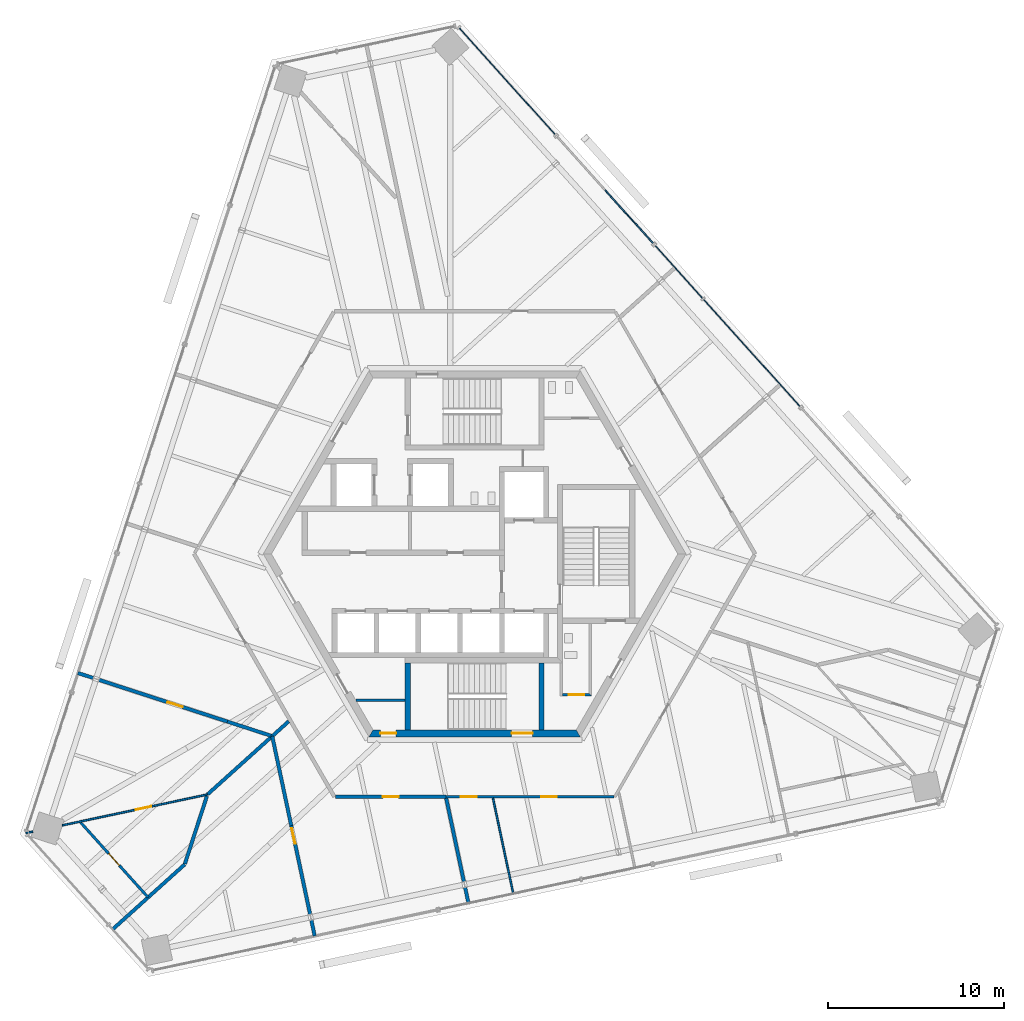
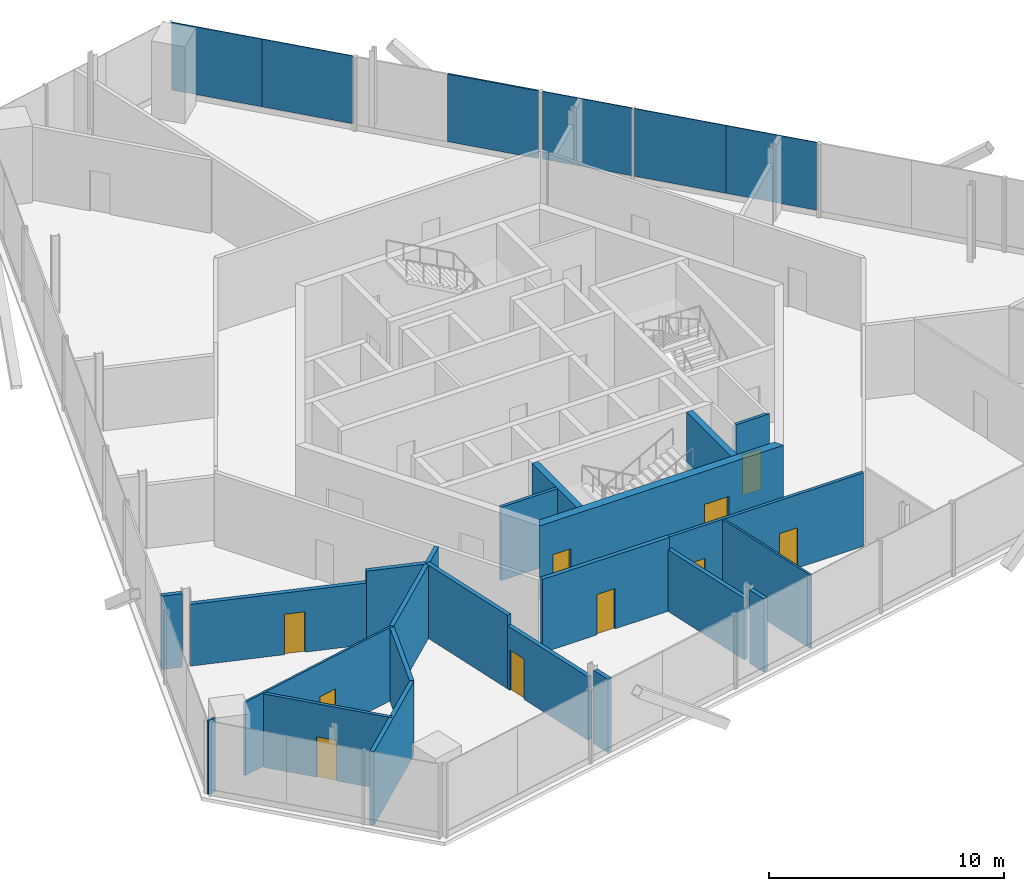
# One storey, part 9 of 14: 22 walls, 10 doors, 6 plates, 10 openings, 3 elements without a shape of their own.
"""IFC4 building model written with IfcOpenShell, lengths in metres."""

from ifc_helpers import new_model, si_unit, direction, frame, frame_2d, origin, origin_2d, place, context, subcontext, project, spatial, polyline, rectangle, outline, extrude, source, transform, mapped, material, layer, layer_set, type_object, element, fill, aggregate, save


model = new_model("IFC4")

# Units and contexts
model_context = context("Model", 3, precision=1e-05, world=origin(), true_north=direction((0.0, 1.0)))
body_context = subcontext(model_context, "Body", "Model", "MODEL_VIEW")
ifc_project = project(units=[si_unit("LENGTHUNIT", "METRE"), si_unit("AREAUNIT", "SQUARE_METRE"), si_unit("VOLUMEUNIT", "CUBIC_METRE"), si_unit("PLANEANGLEUNIT", "RADIAN"), si_unit("MASSUNIT", "GRAM", prefix="KILO")], contexts=[model_context])

# Site, building, storey
site_placement = place(None, origin())
site = spatial("IfcSite", under=ifc_project, at=site_placement, CompositionType="ELEMENT")
building_placement = place(site_placement, origin())
building = spatial("IfcBuilding", under=site, at=building_placement, Name="Triune Harvest Tower", CompositionType="ELEMENT")
storey_placement = place(building_placement, frame((0.0, 0.0, 284.699951171875)))
storey = spatial("IfcBuildingStorey", under=building, at=storey_placement, Name="L75", CompositionType="ELEMENT", Elevation=284.699951171875)

# Curtain wall, plate
ifc_material_1 = material(Name="Aluminium bronze anodised", Category="aluminium")
curtain_wall_type_1 = type_object("IfcCurtainWallType", Name="CW-4 Sky lobby tall glazing wall", PredefinedType="NOTDEFINED", material=ifc_material_1)
curtain_wall_1_placement = place(storey_placement, origin())
curtain_wall_1 = element("IfcCurtainWall", 1, at=curtain_wall_1_placement, inside=storey, type_object=curtain_wall_type_1, Name="CW-4 B7-F1 L75 run 2001")
ifc_material_2 = material(Name="Glass", Category="glass")
ifc_layer_1 = layer(ifc_material_2, 0.0439453125)
ifc_layer_set_1 = layer_set([ifc_layer_1], Name="Glass")
plate_type_1 = type_object("IfcPlateType", Name="GL-4 panel 44", PredefinedType="CURTAIN_PANEL", material=ifc_layer_set_1)
shared_shape_1 = source(origin(), body_context, "Body", "SweptSolid", [
    extrude(rectangle(XDim=4.065673828125, YDim=0.0439453125, at=origin_2d()), origin(), (0.0, 0.0, 1.0), 3.52001953125),
])
plate_1_placement = place(storey_placement, frame((17.11572265625, 9.87939453125, 0.300048828125), z_axis=(0.0, 0.0, 1.0), x_axis=(-0.66912469222, 0.743150150549, 0.0)))
plate_1 = element("IfcPlate", 2, at=plate_1_placement, type_object=plate_type_1, Name="CW-4 panel B7-F1 2001.1", PredefinedType="CURTAIN_PANEL", context=body_context, shape_type="MappedRepresentation", body=[
    mapped(shared_shape_1, transform((0.0, 0.0, 0.0), scale=1.0)),
])

# Curtain wall, plates
curtain_wall_2_placement = place(storey_placement, origin())
curtain_wall_2 = element("IfcCurtainWall", 3, at=curtain_wall_2_placement, inside=storey, type_object=curtain_wall_type_1, Name="CW-4 B7-F1 L75 run 4001")
plate_2_placement = place(storey_placement, frame((3.2119140625, 25.321044921875, 0.300048828125), z_axis=(0.0, 0.0, 1.0), x_axis=(-0.66912643172, 0.743148584318, 0.0)))
plate_2 = element("IfcPlate", 4, at=plate_2_placement, type_object=plate_type_1, Name="CW-4 panel B7-F1 4001.1", PredefinedType="CURTAIN_PANEL", context=body_context, shape_type="MappedRepresentation", body=[
    mapped(shared_shape_1, transform((0.0, 0.0, 0.0), scale=1.0)),
])
plate_3_placement = place(storey_placement, frame((0.4912109375, 28.342529296875, 0.300048828125), z_axis=(0.0, 0.0, 1.0), x_axis=(-0.66912643172, 0.743148584318, 0.0)))
plate_3 = element("IfcPlate", 5, at=plate_3_placement, type_object=plate_type_1, Name="CW-4 panel B7-F1 4001.2", PredefinedType="CURTAIN_PANEL", context=body_context, shape_type="MappedRepresentation", body=[
    mapped(shared_shape_1, transform((0.0, 0.0, 0.0), scale=1.0)),
])
aggregate(curtain_wall_2, [plate_2, plate_3])

# Curtain wall, plate
ifc_material_3 = material(Name="Aluminium bronze anodised", Category="aluminium")
curtain_wall_type_2 = type_object("IfcCurtainWallType", Name="CW-9 Sky lobby tall glazing wall with insulated spandrel infill", PredefinedType="NOTDEFINED", material=ifc_material_3)
curtain_wall_3_placement = place(storey_placement, origin())
curtain_wall_3 = element("IfcCurtainWall", 6, at=curtain_wall_3_placement, inside=storey, type_object=curtain_wall_type_2, Name="CW-9 B7-F1 L75 run 3001")
ifc_material_4 = material(Name="Insulated spandrel panel, bronze aluminium pan", Category="aluminium")
ifc_layer_2 = layer(ifc_material_4, 0.080078125)
ifc_layer_set_2 = layer_set([ifc_layer_2], Name="Insulated spandrel panel, bronze aluminium pan")
plate_type_2 = type_object("IfcPlateType", Name="SP-1 insulated spandrel panel 80", PredefinedType="CURTAIN_PANEL", material=ifc_layer_set_2)
shared_shape_2 = source(origin(), body_context, "Body", "SweptSolid", [
    extrude(rectangle(XDim=4.065673828125, YDim=0.080078125, at=origin_2d()), origin(), (0.0, 0.0, 1.0), 3.52001953125),
])
plate_4_placement = place(storey_placement, frame((8.7734375, 19.144287109375, 0.300048828125), z_axis=(0.0, 0.0, 1.0), x_axis=(-0.669141528583, 0.743134990917, 0.0)))
plate_4 = element("IfcPlate", 7, at=plate_4_placement, type_object=plate_type_2, Name="CW-9 panel B7-F1 3001.1", PredefinedType="CURTAIN_PANEL", context=body_context, shape_type="MappedRepresentation", body=[
    mapped(shared_shape_2, transform((0.0, 0.0, 0.0), scale=1.0)),
])
aggregate(curtain_wall_3, [plate_4])

# Plate
shared_shape_3 = source(origin(), body_context, "Body", "SweptSolid", [
    extrude(rectangle(XDim=4.11083984375, YDim=0.0439453125, at=origin_2d()), origin(), (0.0, 0.0, 1.0), 3.52001953125),
])
plate_5_placement = place(storey_placement, frame((14.380126953125, 12.91748046875, 0.300048828125), z_axis=(0.0, 0.0, 1.0), x_axis=(-0.66912469222, 0.743150150549, 0.0)))
plate_5 = element("IfcPlate", 8, at=plate_5_placement, type_object=plate_type_1, Name="CW-4 panel B7-F1 2001.2", PredefinedType="CURTAIN_PANEL", context=body_context, shape_type="MappedRepresentation", body=[
    mapped(shared_shape_3, transform((0.0, 0.0, 0.0), scale=1.0)),
])

shared_shape_4 = source(origin(), body_context, "Body", "SweptSolid", [
    extrude(rectangle(XDim=4.020751953125, YDim=0.0439453125, at=origin_2d()), origin(), (0.0, 0.0, 1.0), 3.52001953125),
])
plate_6_placement = place(storey_placement, frame((11.599365234375, 16.005859375, 0.300048828125), z_axis=(0.0, 0.0, 1.0), x_axis=(-0.66912469222, 0.743150150549, 0.0)))
plate_6 = element("IfcPlate", 9, at=plate_6_placement, type_object=plate_type_1, Name="CW-4 panel B7-F1 2001.3", PredefinedType="CURTAIN_PANEL", context=body_context, shape_type="MappedRepresentation", body=[
    mapped(shared_shape_4, transform((0.0, 0.0, 0.0), scale=1.0)),
])

aggregate(curtain_wall_1, [plate_1, plate_5, plate_6])

# Wall, opening, door
ifc_material_5 = material(Name="Gypsum board on steel studs", Category="steel")
ifc_layer_3 = layer(ifc_material_5, 0.14990234375)
ifc_layer_set_3 = layer_set([ifc_layer_3], Name="Gypsum board on steel studs")
wall_type_1 = type_object("IfcWallType", Name="Fire Partition 150 mm", PredefinedType="PARTITIONING", material=ifc_layer_set_3)
wall_1_placement = place(storey_placement, frame((-22.360107421875, -15.25927734375, 0.0), z_axis=(0.0, 0.0, 1.0), x_axis=(0.669132431757, -0.743143181877, 0.0)))
wall_1 = element("IfcWall", 10, at=wall_1_placement, inside=storey, type_object=wall_type_1, Name="Partition L75 014", PredefinedType="PARTITIONING", context=body_context, shape_type="SweptSolid", body=[
    extrude(rectangle(XDim=5.7099609375, YDim=0.14990234375, at=frame_2d((2.85498046875, 0.0))), origin(), (0.0, 0.0, 1.0), 3.820068359375),
])
opening_1_placement = place(wall_1_placement, frame((2.3701171875, 0.0, 0.0)))
opening_1 = element("IfcOpeningElement", 11, at=opening_1_placement, cuts=wall_1, Name="Opening L75-010", PredefinedType="OPENING", context=body_context, shape_type="SweptSolid", body=[
    extrude(rectangle(XDim=0.89990234375, YDim=2.10009765625, at=frame_2d((0.449951171875, 1.050048828125))), frame((0.0, 0.0849609375, 0.0), z_axis=(0.0, -1.0, 0.0), x_axis=(1.0, 0.0, 0.0)), (0.0, 0.0, 1.0), 0.169921875),
])
ifc_material_6 = material(Name="Timber and steel door set", Category="steel")
door_type_1 = type_object("IfcDoorType", Name="Single leaf door FD30 left hand 900 x 2100", OperationType="SINGLE_SWING_LEFT", PredefinedType="DOOR", material=ifc_material_6)
door_1_placement = place(opening_1_placement, origin())
door_1 = element("IfcDoor", 12, at=door_1_placement, inside=storey, type_object=door_type_1, Name="Door L75-010 Dry Store Room 75.10", OperationType="SINGLE_SWING_LEFT", OverallHeight=2.10009765625, OverallWidth=0.89990234375, PredefinedType="DOOR", context=body_context, shape_type="SweptSolid", body=[
    extrude(rectangle(XDim=0.89990234375, YDim=2.10009765625, at=frame_2d((0.449951171875, 1.050048828125))), frame((0.0, 0.02490234375, 0.0), z_axis=(0.0, -1.0, 0.0), x_axis=(1.0, 0.0, 0.0)), (0.0, 0.0, 1.0), 0.050048828125),
])
fill(opening_1, door_1)

# Wall, openings, doors
wall_2_placement = place(storey_placement, frame((-1.629150390625, -13.792236328125, 0.0), z_axis=(0.0, 0.0, 1.0), x_axis=(1.0, 0.0, 0.0)))
wall_2 = element("IfcWall", 13, at=wall_2_placement, inside=storey, type_object=wall_type_1, Name="Partition L75 029", PredefinedType="PARTITIONING", context=body_context, shape_type="SweptSolid", body=[
    extrude(rectangle(XDim=9.542236328125, YDim=0.14990234375, at=frame_2d((4.77099609375, 0.0))), origin(), (0.0, 0.0, 1.0), 3.820068359375),
])
opening_2_placement = place(wall_2_placement, frame((0.846923828125, 0.0, 0.0)))
opening_2 = element("IfcOpeningElement", 14, at=opening_2_placement, cuts=wall_2, Name="Opening L75-014", PredefinedType="OPENING", context=body_context, shape_type="SweptSolid", body=[
    extrude(rectangle(XDim=0.89990234375, YDim=2.10009765625, at=frame_2d((0.449951171875, 1.050048828125))), frame((0.0, 0.0849609375, 0.0), z_axis=(0.0, -1.0, 0.0), x_axis=(1.0, 0.0, 0.0)), (0.0, 0.0, 1.0), 0.169921875),
])
opening_3_placement = place(wall_2_placement, frame((5.405029296875, 0.0, 0.0)))
opening_3 = element("IfcOpeningElement", 15, at=opening_3_placement, cuts=wall_2, Name="Opening L75-015", PredefinedType="OPENING", context=body_context, shape_type="SweptSolid", body=[
    extrude(rectangle(XDim=0.89990234375, YDim=2.10009765625, at=frame_2d((0.449951171875, 1.050048828125))), frame((0.0, 0.0849609375, 0.0), z_axis=(0.0, -1.0, 0.0), x_axis=(1.0, 0.0, 0.0)), (0.0, 0.0, 1.0), 0.169921875),
])
door_2_placement = place(opening_3_placement, origin())
door_2 = element("IfcDoor", 16, at=door_2_placement, inside=storey, type_object=door_type_1, Name="Door L75-015 Dry Store Room 75.15", OperationType="SINGLE_SWING_LEFT", OverallHeight=2.10009765625, OverallWidth=0.89990234375, PredefinedType="DOOR", context=body_context, shape_type="SweptSolid", body=[
    extrude(rectangle(XDim=0.89990234375, YDim=2.10009765625, at=frame_2d((0.449951171875, 1.050048828125))), frame((0.0, 0.02490234375, 0.0), z_axis=(0.0, -1.0, 0.0), x_axis=(1.0, 0.0, 0.0)), (0.0, 0.0, 1.0), 0.050048828125),
])
fill(opening_3, door_2)
ifc_material_7 = material(Name="Timber and steel door set", Category="steel")
door_type_2 = type_object("IfcDoorType", Name="Single leaf door FD30 right hand 900 x 2100", OperationType="SINGLE_SWING_RIGHT", PredefinedType="DOOR", material=ifc_material_7)
door_3_placement = place(opening_2_placement, origin())
door_3 = element("IfcDoor", 17, at=door_3_placement, inside=storey, type_object=door_type_2, Name="Door L75-014 Dry Store Room 75.14", OperationType="SINGLE_SWING_RIGHT", OverallHeight=2.10009765625, OverallWidth=0.89990234375, PredefinedType="DOOR", context=body_context, shape_type="SweptSolid", body=[
    extrude(rectangle(XDim=0.89990234375, YDim=2.10009765625, at=frame_2d((0.449951171875, 1.050048828125))), frame((0.0, 0.02490234375, 0.0), z_axis=(0.0, -1.0, 0.0), x_axis=(1.0, 0.0, 0.0)), (0.0, 0.0, 1.0), 0.050048828125),
])
fill(opening_2, door_3)

# Wall
ifc_material_8 = material(Name="Gypsum board on steel studs", Category="steel")
ifc_layer_4 = layer(ifc_material_8, 0.199951171875)
ifc_layer_set_4 = layer_set([ifc_layer_4], Name="Gypsum board on steel studs")
wall_type_2 = type_object("IfcWallType", Name="Fire Wall 200 mm", PredefinedType="PARTITIONING", material=ifc_layer_set_4)
wall_3_placement = place(storey_placement, frame((-11.491943359375, -10.347412109375, 0.0), z_axis=(0.0, 0.0, 1.0), x_axis=(0.207948039247, -0.978139873931, 0.0)))
element("IfcWall", 18, at=wall_3_placement, inside=storey, type_object=wall_type_2, Name="Partition L75 001", PredefinedType="PARTITIONING", context=body_context, shape_type="SweptSolid", body=[
    extrude(rectangle(XDim=5.199951171875, YDim=0.199951171875, at=frame_2d((2.60009765625, 0.0))), origin(), (0.0, 0.0, 1.0), 3.820068359375),
])

# Wall, opening, door
wall_4_placement = place(storey_placement, frame((-10.41064453125, -15.43359375, 0.0), z_axis=(0.0, 0.0, 1.0), x_axis=(0.207907589599, -0.978148472466, 0.0)))
wall_4 = element("IfcWall", 19, at=wall_4_placement, inside=storey, type_object=wall_type_2, Name="Partition L75 001a", PredefinedType="PARTITIONING", context=body_context, shape_type="SweptSolid", body=[
    extrude(rectangle(XDim=5.14208984375, YDim=0.199951171875, at=frame_2d((2.571044921875, 0.0))), origin(), (0.0, 0.0, 1.0), 3.283935546875),
])
opening_4_placement = place(wall_4_placement, frame((0.14990234375, 0.0, 0.0)))
opening_4 = element("IfcOpeningElement", 20, at=opening_4_placement, cuts=wall_4, Name="Opening L75-011", PredefinedType="OPENING", context=body_context, shape_type="SweptSolid", body=[
    extrude(rectangle(XDim=0.89990234375, YDim=2.10009765625, at=frame_2d((0.449951171875, 1.050048828125))), frame((0.0, 0.10986328125, 0.0), z_axis=(0.0, -1.0, 0.0), x_axis=(1.0, 0.0, 0.0)), (0.0, 0.0, 1.0), 0.219970703125),
])
ifc_material_9 = material(Name="Timber and steel door set", Category="steel")
door_type_3 = type_object("IfcDoorType", Name="Single leaf door FD60 left hand 900 x 2100", OperationType="SINGLE_SWING_LEFT", PredefinedType="DOOR", material=ifc_material_9)
door_4_placement = place(opening_4_placement, origin())
door_4 = element("IfcDoor", 21, at=door_4_placement, inside=storey, type_object=door_type_3, Name="Door L75-011 Commercial Kitchen 75.11", OperationType="SINGLE_SWING_LEFT", OverallHeight=2.10009765625, OverallWidth=0.89990234375, PredefinedType="DOOR", context=body_context, shape_type="SweptSolid", body=[
    extrude(rectangle(XDim=0.89990234375, YDim=2.10009765625, at=frame_2d((0.449951171875, 1.050048828125))), frame((0.0, 0.02490234375, 0.0), z_axis=(0.0, -1.0, 0.0), x_axis=(1.0, 0.0, 0.0)), (0.0, 0.0, 1.0), 0.050048828125),
])
fill(opening_4, door_4)

wall_5_placement = place(storey_placement, frame((-21.32763671875, -7.1513671875, 0.0), z_axis=(0.0, 0.0, 1.0), x_axis=(0.951054902991, -0.309021959569, 0.0)))
wall_5 = element("IfcWall", 22, at=wall_5_placement, inside=storey, type_object=wall_type_2, Name="Partition L75 020", PredefinedType="PARTITIONING", context=body_context, shape_type="SweptSolid", body=[
    extrude(rectangle(XDim=7.663330078125, YDim=0.199951171875, at=frame_2d((3.83154296875, 0.0))), origin(), (0.0, 0.0, 1.0), 3.207763671875),
])
opening_5_placement = place(wall_5_placement, frame((4.093994140625, 0.0, 0.0)))
opening_5 = element("IfcOpeningElement", 23, at=opening_5_placement, cuts=wall_5, Name="Opening L75-008", PredefinedType="OPENING", context=body_context, shape_type="SweptSolid", body=[
    extrude(rectangle(XDim=0.89990234375, YDim=2.10009765625, at=frame_2d((0.449951171875, 1.050048828125))), frame((0.0, 0.10986328125, 0.0), z_axis=(0.0, -1.0, 0.0), x_axis=(1.0, 0.0, 0.0)), (0.0, 0.0, 1.0), 0.219970703125),
])
ifc_material_10 = material(Name="Timber and steel door set", Category="steel")
door_type_4 = type_object("IfcDoorType", Name="Single leaf door FD60 right hand 900 x 2100", OperationType="SINGLE_SWING_RIGHT", PredefinedType="DOOR", material=ifc_material_10)
door_5_placement = place(opening_5_placement, origin())
door_5 = element("IfcDoor", 24, at=door_5_placement, inside=storey, type_object=door_type_4, Name="Door L75-008 Dry Store Room 75.08", OperationType="SINGLE_SWING_RIGHT", OverallHeight=2.10009765625, OverallWidth=0.89990234375, PredefinedType="DOOR", context=body_context, shape_type="SweptSolid", body=[
    extrude(rectangle(XDim=0.89990234375, YDim=2.10009765625, at=frame_2d((0.449951171875, 1.050048828125))), frame((0.0, 0.02490234375, 0.0), z_axis=(0.0, -1.0, 0.0), x_axis=(1.0, 0.0, 0.0)), (0.0, 0.0, 1.0), 0.050048828125),
])
fill(opening_5, door_5)

# Wall
wall_6_placement = place(storey_placement, frame((-14.039306640625, -9.51953125, 0.0), z_axis=(0.0, 0.0, 1.0), x_axis=(0.95105194905, -0.309031050557, 0.0)))
element("IfcWall", 25, at=wall_6_placement, inside=storey, type_object=wall_type_2, Name="Partition L75 020a", PredefinedType="PARTITIONING", context=body_context, shape_type="SweptSolid", body=[
    extrude(rectangle(XDim=2.608642578125, YDim=0.199951171875, at=frame_2d((1.30419921875, 0.0))), origin(), (0.0, 0.0, 1.0), 3.820068359375),
])

# Wall, opening, door
wall_7_placement = place(storey_placement, frame((-7.89306640625, -13.792236328125, 0.0), z_axis=(0.0, 0.0, 1.0), x_axis=(1.0, 0.0, 0.0)))
wall_7 = element("IfcWall", 26, at=wall_7_placement, inside=storey, type_object=wall_type_2, Name="Partition L75 028", PredefinedType="PARTITIONING", context=body_context, shape_type="SweptSolid", body=[
    extrude(rectangle(XDim=6.263916015625, YDim=0.199951171875, at=frame_2d((3.1318359375, 0.0))), origin(), (0.0, 0.0, 1.0), 3.820068359375),
])
opening_6_placement = place(wall_7_placement, frame((2.679931640625, 0.0, 0.0)))
opening_6 = element("IfcOpeningElement", 27, at=opening_6_placement, cuts=wall_7, Name="Opening L75-012", PredefinedType="OPENING", context=body_context, shape_type="SweptSolid", body=[
    extrude(rectangle(XDim=0.89990234375, YDim=2.10009765625, at=frame_2d((0.449951171875, 1.050048828125))), frame((0.0, 0.10986328125, 0.0), z_axis=(0.0, -1.0, 0.0), x_axis=(1.0, 0.0, 0.0)), (0.0, 0.0, 1.0), 0.219970703125),
])
door_6_placement = place(opening_6_placement, origin())
door_6 = element("IfcDoor", 28, at=door_6_placement, inside=storey, type_object=door_type_3, Name="Door L75-012 Commercial Kitchen 75.12", OperationType="SINGLE_SWING_LEFT", OverallHeight=2.10009765625, OverallWidth=0.89990234375, PredefinedType="DOOR", context=body_context, shape_type="SweptSolid", body=[
    extrude(rectangle(XDim=0.89990234375, YDim=2.10009765625, at=frame_2d((0.449951171875, 1.050048828125))), frame((0.0, 0.02490234375, 0.0), z_axis=(0.0, -1.0, 0.0), x_axis=(1.0, 0.0, 0.0)), (0.0, 0.0, 1.0), 0.050048828125),
])
fill(opening_6, door_6)

# Walls
wall_8_placement = place(storey_placement, frame((-15.1640625, -13.653564453125, 0.0), z_axis=(0.0, 0.0, 1.0), x_axis=(0.743163044905, 0.669110371081, 0.0)))
element("IfcWall", 29, at=wall_8_placement, inside=storey, type_object=wall_type_2, Name="Partition L75 038", PredefinedType="PARTITIONING", context=body_context, shape_type="SweptSolid", body=[
    extrude(rectangle(XDim=6.20458984375, YDim=0.199951171875, at=frame_2d((3.102294921875, 0.0))), origin(), (0.0, 0.0, 1.0), 3.820068359375),
])
ifc_material_11 = material(Name="Gypsum board on steel studs", Category="steel")
ifc_layer_5 = layer(ifc_material_11, 0.10009765625)
ifc_layer_set_5 = layer_set([ifc_layer_5], Name="Gypsum board on steel studs")
wall_type_3 = type_object("IfcWallType", Name="Partition 100 mm", PredefinedType="PARTITIONING", material=ifc_layer_set_5)
wall_9_placement = place(storey_placement, frame((1.04052734375, -13.86083984375, 0.0), z_axis=(0.0, 0.0, 1.0), x_axis=(0.207908161047, -0.978148351003, 0.0)))
element("IfcWall", 30, at=wall_9_placement, inside=storey, type_object=wall_type_3, Name="Partition L75 005", PredefinedType="PARTITIONING", context=body_context, shape_type="SweptSolid", body=[
    extrude(rectangle(XDim=5.555419921875, YDim=0.10009765625, at=frame_2d((2.77783203125, 0.0))), origin(), (0.0, 0.0, 1.0), 3.820068359375),
])
wall_10_placement = place(storey_placement, frame((-25.47509765625, -15.850341796875, 0.0), z_axis=(0.0, 0.0, 1.0), x_axis=(0.978158850918, 0.20785875582, 0.0)))
element("IfcWall", 31, at=wall_10_placement, inside=storey, type_object=wall_type_3, Name="Partition L75 032", PredefinedType="PARTITIONING", context=body_context, shape_type="SweptSolid", body=[
    extrude(rectangle(XDim=0.3994140625, YDim=0.10009765625, at=frame_2d((0.19970703125, 0.0))), origin(), (0.0, 0.0, 1.0), 3.820068359375),
])

# Wall, openings, doors
ifc_material_12 = material(Name="Concrete 70 MPa", Category="concrete")
ifc_layer_6 = layer(ifc_material_12, 0.39990234375)
ifc_layer_set_6 = layer_set([ifc_layer_6], Name="Concrete 70 MPa")
wall_type_4 = type_object("IfcWallType", Name="Core wall 400", PredefinedType="SHEAR", material=ifc_layer_set_6)
shared_shape_5 = source(origin(), body_context, "Body", "SweptSolid", [
    extrude(outline(polyline([(-0.115478515625, -0.199951171875), (11.884521484375, -0.199951171875), (11.653564453125, 0.199951171875), (0.115478515625, 0.199951171875), (-0.115478515625, -0.199951171875)])), origin(), (0.0, 0.0, 1.0), 3.820068359375),
])
wall_11_placement = place(storey_placement, frame((-5.884521484375, -10.1923828125, 0.0), z_axis=(0.0, 0.0, 1.0), x_axis=(1.0, 0.0, 0.0)))
wall_11 = element("IfcWall", 32, at=wall_11_placement, inside=storey, type_object=wall_type_4, Name="Hexagon 4 wall", PredefinedType="SHEAR", context=body_context, shape_type="MappedRepresentation", body=[
    mapped(shared_shape_5, transform((0.0, 0.0, 0.0), scale=1.0)),
])
opening_7_placement = place(wall_11_placement, frame((7.984619140625, 0.0, 0.0)))
opening_7 = element("IfcOpeningElement", 33, at=opening_7_placement, cuts=wall_11, Name="Opening CD-S2P", PredefinedType="OPENING", context=body_context, shape_type="SweptSolid", body=[
    extrude(rectangle(XDim=1.199951171875, YDim=2.10009765625, at=frame_2d((0.60009765625, 1.050048828125))), frame((0.0, 0.2099609375, 0.0), z_axis=(0.0, -1.0, 0.0), x_axis=(1.0, 0.0, 0.0)), (0.0, 0.0, 1.0), 0.419921875),
])
opening_8_placement = place(wall_11_placement, frame((0.534423828125, 0.0, 0.0)))
opening_8 = element("IfcOpeningElement", 34, at=opening_8_placement, cuts=wall_11, Name="Opening CD-SWS", PredefinedType="OPENING", context=body_context, shape_type="SweptSolid", body=[
    extrude(rectangle(XDim=0.89990234375, YDim=2.10009765625, at=frame_2d((0.449951171875, 1.050048828125))), frame((0.0, 0.2099609375, 0.0), z_axis=(0.0, -1.0, 0.0), x_axis=(1.0, 0.0, 0.0)), (0.0, 0.0, 1.0), 0.419921875),
])
ifc_material_13 = material(Name="Steel S235", Category="steel")
door_type_5 = type_object("IfcDoorType", Name="Riser door 900 FD120", OperationType="SINGLE_SWING_LEFT", PredefinedType="DOOR", material=ifc_material_13)
door_7_placement = place(opening_8_placement, frame((0.89990234375, 0.0, 0.0), z_axis=(0.0, 0.0, 1.0), x_axis=(-1.0, 0.0, 0.0)))
door_7 = element("IfcDoor", 35, at=door_7_placement, inside=storey, type_object=door_type_5, Name="Door CD-SWS", OperationType="SINGLE_SWING_RIGHT", OverallHeight=2.10009765625, OverallWidth=0.89990234375, PredefinedType="DOOR", context=body_context, shape_type="SweptSolid", body=[
    extrude(rectangle(XDim=0.89990234375, YDim=2.10009765625, at=frame_2d((0.449951171875, 1.050048828125))), frame((0.0, 0.02490234375, 0.0), z_axis=(0.0, -1.0, 0.0), x_axis=(1.0, 0.0, 0.0)), (0.0, 0.0, 1.0), 0.050048828125),
])
fill(opening_8, door_7)
ifc_material_14 = material(Name="Steel S235", Category="steel")
door_type_6 = type_object("IfcDoorType", Name="Stair door 1200 FD120", OperationType="SINGLE_SWING_LEFT", PredefinedType="DOOR", material=ifc_material_14)
door_8_placement = place(opening_7_placement, frame((1.199951171875, 0.0, 0.0), z_axis=(0.0, 0.0, 1.0), x_axis=(-1.0, 0.0, 0.0)))
door_8 = element("IfcDoor", 36, at=door_8_placement, inside=storey, type_object=door_type_6, Name="Door CD-S2P", OperationType="SINGLE_SWING_RIGHT", OverallHeight=2.10009765625, OverallWidth=1.199951171875, PredefinedType="DOOR", context=body_context, shape_type="SweptSolid", body=[
    extrude(rectangle(XDim=1.199951171875, YDim=2.10009765625, at=frame_2d((0.60009765625, 1.050048828125))), frame((0.0, 0.02490234375, 0.0), z_axis=(0.0, -1.0, 0.0), x_axis=(1.0, 0.0, 0.0)), (0.0, 0.0, 1.0), 0.050048828125),
])
fill(opening_7, door_8)

# Walls
ifc_material_15 = material(Name="Concrete 70 MPa", Category="concrete")
ifc_layer_7 = layer(ifc_material_15, 0.300048828125)
ifc_layer_set_7 = layer_set([ifc_layer_7], Name="Concrete 70 MPa")
wall_type_5 = type_object("IfcWallType", Name="Core wall 300", PredefinedType="SHEAR", material=ifc_layer_set_7)
shared_shape_6 = source(origin(), body_context, "Body", "SweptSolid", [
    extrude(outline(polyline([(3.800048828125, -0.14990234375), (-0.00439453125, -0.14990234375), (-0.00439453125, 0.14990234375), (3.800048828125, 0.14990234375), (3.800048828125, -0.14990234375)])), origin(), (0.0, 0.0, 1.0), 3.820068359375),
])
for number, where, z_axis, x_axis, name in (
    (37, (-3.800048828125, -9.989990234375, 0.0), (0.0, 0.0, 1.0), (0.0, 1.0, 0.0), "Stair s west wall"),
    (38, (3.800048828125, -9.989990234375, 0.0), (0.0, 0.0, 1.0), (0.0, 1.0, 0.0), "Stair s east wall"),
):
    element("IfcWall", number, at=place(storey_placement, frame(where, z_axis=z_axis, x_axis=x_axis)), inside=storey, type_object=wall_type_5, Name=name, PredefinedType="SHEAR", context=body_context, shape_type="MappedRepresentation", body=[
        mapped(shared_shape_6, transform((0.0, 0.0, 0.0), scale=1.0)),
    ])
ifc_material_16 = material(Name="Concrete masonry unit", Category="masonry")
ifc_layer_8 = layer(ifc_material_16, 0.14990234375)
ifc_layer_set_8 = layer_set([ifc_layer_8], Name="Concrete masonry unit")
wall_type_6 = type_object("IfcWallType", Name="Block partition 150", PredefinedType="PARTITIONING", material=ifc_layer_set_8)
shared_shape_7 = source(origin(), body_context, "Body", "SweptSolid", [
    extrude(rectangle(XDim=2.777099609375, YDim=0.14990234375, at=frame_2d((1.388671875, 0.0))), origin(), (0.0, 0.0, 1.0), 3.820068359375),
])
wall_12_placement = place(storey_placement, frame((-6.72705078125, -8.300048828125, 0.0), z_axis=(0.0, 0.0, 1.0), x_axis=(1.0, 0.0, 0.0)))
element("IfcWall", 39, at=wall_12_placement, inside=storey, type_object=wall_type_6, Name="Sw part wall", PredefinedType="PARTITIONING", context=body_context, shape_type="MappedRepresentation", body=[
    mapped(shared_shape_7, transform((0.0, 0.0, 0.0), scale=1.0)),
])

# Wall, opening, door
ifc_material_17 = material(Name="Concrete masonry unit", Category="masonry")
ifc_layer_9 = layer(ifc_material_17, 0.14990234375)
ifc_layer_set_9 = layer_set([ifc_layer_9], Name="Concrete masonry unit")
wall_type_7 = type_object("IfcWallType", Name="Block partition 150 unrated", PredefinedType="PARTITIONING", material=ifc_layer_set_9)
shared_shape_8 = source(origin(), body_context, "Body", "SweptSolid", [
    extrude(outline(polyline([(0.0, -0.074951171875), (1.64990234375, -0.074951171875), (1.5, 0.074951171875), (0.0, 0.074951171875), (0.0, -0.074951171875)])), origin(), (0.0, 0.0, 1.0), 3.820068359375),
])
wall_13_placement = place(storey_placement, frame((5.0, -8.0, 0.0), z_axis=(0.0, 0.0, 1.0), x_axis=(1.0, 0.0, 0.0)))
wall_13 = element("IfcWall", 40, at=wall_13_placement, inside=storey, type_object=wall_type_7, Name="Wc acc south wall", PredefinedType="PARTITIONING", context=body_context, shape_type="MappedRepresentation", body=[
    mapped(shared_shape_8, transform((0.0, 0.0, 0.0), scale=1.0)),
])
opening_9_placement = place(wall_13_placement, frame((0.33740234375, 0.0, 0.0)))
opening_9 = element("IfcOpeningElement", 41, at=opening_9_placement, cuts=wall_13, Name="Opening CD-WA", PredefinedType="OPENING", context=body_context, shape_type="SweptSolid", body=[
    extrude(rectangle(XDim=0.89990234375, YDim=2.10009765625, at=frame_2d((0.449951171875, 1.050048828125))), frame((0.0, 0.0849609375, 0.0), z_axis=(0.0, -1.0, 0.0), x_axis=(1.0, 0.0, 0.0)), (0.0, 0.0, 1.0), 0.169921875),
])
ifc_material_18 = material(Name="Timber C24", Category="wood")
door_type_7 = type_object("IfcDoorType", Name="WC door 900", OperationType="SINGLE_SWING_LEFT", PredefinedType="DOOR", material=ifc_material_18)
door_9_placement = place(opening_9_placement, origin())
door_9 = element("IfcDoor", 42, at=door_9_placement, inside=storey, type_object=door_type_7, Name="Door CD-WA", OperationType="SINGLE_SWING_LEFT", OverallHeight=2.10009765625, OverallWidth=0.89990234375, PredefinedType="DOOR", context=body_context, shape_type="SweptSolid", body=[
    extrude(rectangle(XDim=0.89990234375, YDim=2.10009765625, at=frame_2d((0.449951171875, 1.050048828125))), frame((0.0, 0.02490234375, 0.0), z_axis=(0.0, -1.0, 0.0), x_axis=(1.0, 0.0, 0.0)), (0.0, 0.0, 1.0), 0.050048828125),
])
fill(opening_9, door_9)

# Walls
shared_shape_9 = source(origin(), body_context, "Body", "SweptSolid", [
    extrude(rectangle(XDim=0.915283203125, YDim=0.199951171875, at=frame_2d((0.45751953125, 0.0))), origin(), (0.0, 0.0, 1.0), 3.820068359375),
])
wall_14_placement = place(storey_placement, frame((-9.270751953125, -20.796630859375, 0.0), z_axis=(0.0, 0.0, 1.0), x_axis=(0.207798139517, -0.978171729919, 0.0)))
element("IfcWall", 43, at=wall_14_placement, inside=storey, type_object=wall_type_2, Name="Partition L75 002", PredefinedType="PARTITIONING", context=body_context, shape_type="MappedRepresentation", body=[
    mapped(shared_shape_9, transform((0.0, 0.0, 0.0), scale=1.0)),
])
shared_shape_10 = source(origin(), body_context, "Body", "SweptSolid", [
    extrude(rectangle(XDim=4.84228515625, YDim=0.199951171875, at=frame_2d((2.421142578125, 0.0))), origin(), (0.0, 0.0, 1.0), 3.207763671875),
])
wall_15_placement = place(storey_placement, frame((-1.615478515625, -13.87060546875, 0.0), z_axis=(0.0, 0.0, 1.0), x_axis=(0.207920863098, -0.97814565106, 0.0)))
element("IfcWall", 44, at=wall_15_placement, inside=storey, type_object=wall_type_2, Name="Partition L75 003", PredefinedType="PARTITIONING", context=body_context, shape_type="MappedRepresentation", body=[
    mapped(shared_shape_10, transform((0.0, 0.0, 0.0), scale=1.0)),
])
shared_shape_11 = source(origin(), body_context, "Body", "SweptSolid", [
    extrude(rectangle(XDim=0.91552734375, YDim=0.199951171875, at=frame_2d((0.457763671875, 0.0))), origin(), (0.0, 0.0, 1.0), 3.820068359375),
])
for number, where, z_axis, x_axis, name in (
    (45, (-0.537841796875, -18.940185546875, 0.0), (0.0, 0.0, 1.0), (0.207743933161, -0.978183243689, 0.0), "Partition L75 004"),
    (46, (-22.522216796875, -6.76318359375, 0.0), (0.0, 0.0, 1.0), (0.951030148904, -0.309098133084, 0.0), "Partition L75 019"),
):
    element("IfcWall", number, at=place(storey_placement, frame(where, z_axis=z_axis, x_axis=x_axis)), inside=storey, type_object=wall_type_2, Name=name, PredefinedType="PARTITIONING", context=body_context, shape_type="MappedRepresentation", body=[
        mapped(shared_shape_11, transform((0.0, 0.0, 0.0), scale=1.0)),
    ])

# Wall, opening, door
shared_shape_12 = source(origin(), body_context, "Body", "SweptSolid", [
    extrude(rectangle(XDim=8.425537109375, YDim=0.10009765625, at=frame_2d((4.212890625, 0.0))), origin(), (0.0, 0.0, 1.0), 3.820068359375),
])
wall_16_placement = place(storey_placement, frame((-23.412841796875, -15.412109375, 0.0), z_axis=(0.0, 0.0, 1.0), x_axis=(0.978149202687, 0.20790415408, 0.0)))
wall_16 = element("IfcWall", 47, at=wall_16_placement, inside=storey, type_object=wall_type_3, Name="Partition L75 033", PredefinedType="PARTITIONING", context=body_context, shape_type="MappedRepresentation", body=[
    mapped(shared_shape_12, transform((0.0, 0.0, 0.0), scale=1.0)),
])
opening_10_placement = place(wall_16_placement, frame((4.271484375, 0.0, 0.0)))
opening_10 = element("IfcOpeningElement", 48, at=opening_10_placement, cuts=wall_16, Name="Opening L75-009", PredefinedType="OPENING", context=body_context, shape_type="SweptSolid", body=[
    extrude(rectangle(XDim=0.89990234375, YDim=2.10009765625, at=frame_2d((0.449951171875, 1.050048828125))), frame((0.0, 0.06005859375, 0.0), z_axis=(0.0, -1.0, 0.0), x_axis=(1.0, 0.0, 0.0)), (0.0, 0.0, 1.0), 0.1201171875),
])
ifc_material_19 = material(Name="Timber and steel door set", Category="steel")
door_type_8 = type_object("IfcDoorType", Name="Single leaf door left hand 900 x 2100", OperationType="SINGLE_SWING_LEFT", PredefinedType="DOOR", material=ifc_material_19)
door_10_placement = place(opening_10_placement, origin())
door_10 = element("IfcDoor", 49, at=door_10_placement, inside=storey, type_object=door_type_8, Name="Door L75-009 Private Dining Room 75.09", OperationType="SINGLE_SWING_LEFT", OverallHeight=2.10009765625, OverallWidth=0.89990234375, PredefinedType="DOOR", context=body_context, shape_type="SweptSolid", body=[
    extrude(rectangle(XDim=0.89990234375, YDim=2.10009765625, at=frame_2d((0.449951171875, 1.050048828125))), frame((0.0, 0.02490234375, 0.0), z_axis=(0.0, -1.0, 0.0), x_axis=(1.0, 0.0, 0.0)), (0.0, 0.0, 1.0), 0.050048828125),
])
fill(opening_10, door_10)

# Walls
shared_shape_13 = source(origin(), body_context, "Body", "SweptSolid", [
    extrude(rectangle(XDim=5.505859375, YDim=0.199951171875, at=frame_2d((2.7529296875, 0.0))), origin(), (0.0, 0.0, 1.0), 3.820068359375),
])
wall_17_placement = place(storey_placement, frame((-20.553466796875, -21.316162109375, 0.0), z_axis=(0.0, 0.0, 1.0), x_axis=(0.743141989368, 0.669133756164, 0.0)))
element("IfcWall", 50, at=wall_17_placement, inside=storey, type_object=wall_type_2, Name="Partition L75 037", PredefinedType="PARTITIONING", context=body_context, shape_type="MappedRepresentation", body=[
    mapped(shared_shape_13, transform((0.0, 0.0, 0.0), scale=1.0)),
])
shared_shape_14 = source(origin(), body_context, "Body", "SweptSolid", [
    extrude(rectangle(XDim=4.055908203125, YDim=0.199951171875, at=frame_2d((2.02783203125, 0.0))), origin(), (0.0, 0.0, 1.0), 3.820068359375),
])
wall_18_placement = place(storey_placement, frame((-16.45263671875, -17.603515625, 0.0), z_axis=(0.0, 0.0, 1.0), x_axis=(0.309031629186, 0.951051761032, 0.0)))
element("IfcWall", 51, at=wall_18_placement, inside=storey, type_object=wall_type_2, Name="Partition L75 046", PredefinedType="PARTITIONING", context=body_context, shape_type="MappedRepresentation", body=[
    mapped(shared_shape_14, transform((0.0, 0.0, 0.0), scale=1.0)),
])

save(model, "model.ifc")
